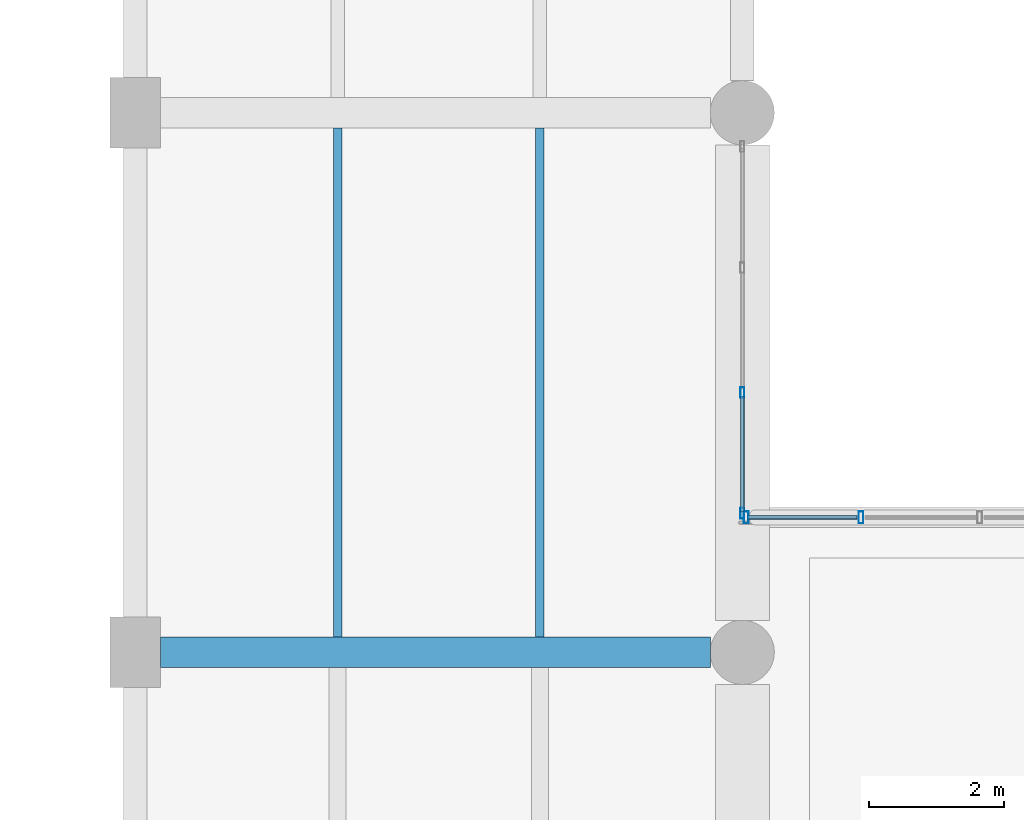
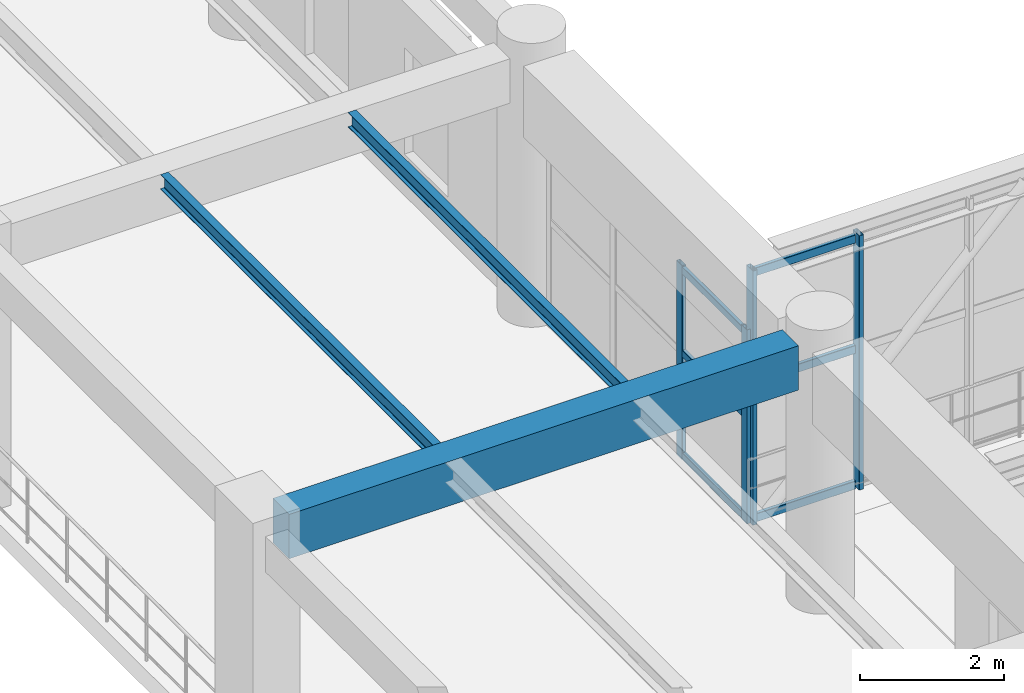
# One storey, part 57 of 178: 10 members, 3 beams, 2 elements without a shape of their own.
"""IFC4 building model written with IfcOpenShell, lengths in metres."""

from ifc_helpers import new_model, si_unit, derived_unit, direction, frame, origin, origin_2d, place, context, subcontext, project, spatial, rectangle, hollow_rectangle, i_section, extrude, material, material_profile, profile_set, type_object, element, aggregate, save


model = new_model("IFC4")

# Units and contexts
model_context = context("Model", 3, precision=1e-05, world=origin(), true_north=direction((0.0, 1.0)))
body_context = subcontext(model_context, "Body", "Model", "MODEL_VIEW")
ifc_project = project(units=[si_unit("LENGTHUNIT", "METRE"), si_unit("AREAUNIT", "SQUARE_METRE"), si_unit("VOLUMEUNIT", "CUBIC_METRE"), si_unit("PLANEANGLEUNIT", "RADIAN"), si_unit("MASSUNIT", "GRAM", prefix="KILO"), derived_unit("THERMALTRANSMITTANCEUNIT", [(si_unit("MASSUNIT", "GRAM", prefix="KILO"), 1), (si_unit("TIMEUNIT", "SECOND"), -3), (si_unit("THERMODYNAMICTEMPERATUREUNIT", "KELVIN"), -1)])], contexts=[model_context])

# Site, building, storey
site_placement = place(None, origin())
site = spatial("IfcSite", under=ifc_project, at=site_placement, CompositionType="ELEMENT")
building_placement = place(site_placement, origin())
building = spatial("IfcBuilding", under=site, at=building_placement, Name="Zhenchuan Archway Interchange", CompositionType="ELEMENT")
storey_placement = place(building_placement, frame((0.0, 0.0, 5.39990234375)))
storey = spatial("IfcBuildingStorey", under=building, at=storey_placement, Name="L01", CompositionType="ELEMENT", Elevation=5.39990234375)

# Beam
ifc_material_1 = material(Name="Concrete C40", Category="concrete")
ifc_material_profile_1 = material_profile(ifc_material_1, rectangle(XDim=0.449951171875, YDim=0.75, at=origin_2d()), Name="RC 450x750")
ifc_profile_set_1 = profile_set([ifc_material_profile_1], Name="Concrete C40")
beam_type_1 = type_object("IfcBeamType", Name="BM_RC_450x750", PredefinedType="BEAM", material=ifc_profile_set_1)
beam_placement = place(storey_placement, frame((63.375, 56.0, 4.135009765625), z_axis=(1.0, 0.0, 0.0), x_axis=(0.0, 1.0, 0.0)))
element("IfcBeam", 1, at=beam_placement, inside=storey, type_object=beam_type_1, Name="Beam H:8-9 (L01)", PredefinedType="BEAM", context=body_context, shape_type="SweptSolid", body=[
    extrude(rectangle(XDim=0.449951171875, YDim=0.75, at=origin_2d()), origin(), (0.0, 0.0, 1.0), 8.14990234375),
])

# Curtain wall, members
ifc_material_2 = material(Name="Anodised Aluminium", Category="aluminium")
curtain_wall_type_1 = type_object("IfcCurtainWallType", Name="CW_UNIT_3", PredefinedType="NOTDEFINED", material=ifc_material_2)
curtain_wall_1_placement = place(storey_placement, origin())
curtain_wall_1 = element("IfcCurtainWall", 2, at=curtain_wall_1_placement, inside=storey, type_object=curtain_wall_type_1, Name="Unitised curtain wall CW:L01:054", PredefinedType="NOTDEFINED")
ifc_material_profile_2 = material_profile(ifc_material_2, hollow_rectangle(XDim=0.06005859375, YDim=0.159912109375, WallThickness=0.00390625, InnerFilletRadius=0.00390625, OuterFilletRadius=0.008056640625, at=origin_2d()), Name="ALU 160x60x4")
ifc_profile_set_2 = profile_set([ifc_material_profile_2], Name="Anodised Aluminium")
member_type_1 = type_object("IfcMemberType", Name="CW_MUL_150", PredefinedType="MULLION", material=ifc_profile_set_2)
member_1_placement = place(storey_placement, frame((72.0, 59.852783203125, 0.0), z_axis=(0.0, 0.0, 1.0), x_axis=(1.0, 0.0, 0.0)))
member_1 = element("IfcMember", 3, at=member_1_placement, type_object=member_type_1, Name="CW:L01:054 mullion 2", PredefinedType="MULLION", context=body_context, shape_type="SweptSolid", body=[
    extrude(hollow_rectangle(XDim=0.06005859375, YDim=0.159912109375, WallThickness=0.00390625, InnerFilletRadius=0.00390625, OuterFilletRadius=0.008056640625, at=origin_2d()), origin(), (0.0, 0.0, 1.0), 3.280029296875),
])
member_2_placement = place(storey_placement, frame((72.0, 58.06005859375, 0.0), z_axis=(0.0, 0.0, 1.0), x_axis=(1.0, 0.0, 0.0)))
member_2 = element("IfcMember", 4, at=member_2_placement, type_object=member_type_1, Name="CW:L01:054 mullion 3", PredefinedType="MULLION", context=body_context, shape_type="SweptSolid", body=[
    extrude(hollow_rectangle(XDim=0.06005859375, YDim=0.159912109375, WallThickness=0.00390625, InnerFilletRadius=0.00390625, OuterFilletRadius=0.008056640625, at=origin_2d()), origin(), (0.0, 0.0, 1.0), 3.280029296875),
])

curtain_wall_type_2 = type_object("IfcCurtainWallType", Name="CW_UNIT_4", PredefinedType="NOTDEFINED", material=ifc_material_2)
curtain_wall_2_placement = place(storey_placement, origin())
curtain_wall_2 = element("IfcCurtainWall", 5, at=curtain_wall_2_placement, inside=storey, type_object=curtain_wall_type_2, Name="Unitised curtain wall CW:L01:055", PredefinedType="NOTDEFINED")
ifc_material_profile_3 = material_profile(ifc_material_2, hollow_rectangle(XDim=0.070068359375, YDim=0.179931640625, WallThickness=0.00390625, InnerFilletRadius=0.00390625, OuterFilletRadius=0.008056640625, at=origin_2d()), Name="ALU 180x70x4")
ifc_profile_set_3 = profile_set([ifc_material_profile_3], Name="Anodised Aluminium")
member_type_2 = type_object("IfcMemberType", Name="CW_MUL_180", PredefinedType="MULLION", material=ifc_profile_set_3)
member_3_placement = place(storey_placement, frame((72.06005859375, 58.0, 0.0), z_axis=(0.0, 0.0, 1.0), x_axis=(1.0, 0.0, 0.0)))
member_3 = element("IfcMember", 6, at=member_3_placement, type_object=member_type_2, Name="CW:L01:055 mullion 0", PredefinedType="MULLION", context=body_context, shape_type="SweptSolid", body=[
    extrude(hollow_rectangle(XDim=0.070068359375, YDim=0.179931640625, WallThickness=0.00390625, InnerFilletRadius=0.00390625, OuterFilletRadius=0.008056640625, at=origin_2d()), origin(), (0.0, 0.0, 1.0), 4.300048828125),
])
member_4_placement = place(storey_placement, frame((73.760986328125, 58.0, 0.0), z_axis=(0.0, 0.0, 1.0), x_axis=(1.0, 0.0, 0.0)))
member_4 = element("IfcMember", 7, at=member_4_placement, type_object=member_type_2, Name="CW:L01:055 mullion 1", PredefinedType="MULLION", context=body_context, shape_type="SweptSolid", body=[
    extrude(hollow_rectangle(XDim=0.070068359375, YDim=0.179931640625, WallThickness=0.00390625, InnerFilletRadius=0.00390625, OuterFilletRadius=0.008056640625, at=origin_2d()), origin(), (0.0, 0.0, 1.0), 4.300048828125),
])

# Member
ifc_material_profile_4 = material_profile(ifc_material_2, hollow_rectangle(XDim=0.06005859375, YDim=0.1201171875, WallThickness=0.00341796875, InnerFilletRadius=0.00341796875, OuterFilletRadius=0.007080078125, at=origin_2d()), Name="ALU 120x60x3.5")
ifc_profile_set_4 = profile_set([ifc_material_profile_4], Name="Anodised Aluminium")
member_type_3 = type_object("IfcMemberType", Name="CW_TRN_120", PredefinedType="USERDEFINED", material=ifc_profile_set_4)
member_5_placement = place(storey_placement, frame((72.0, 59.792724609375, 0.06005859375), z_axis=(0.0, -1.0, 0.0), x_axis=(1.0, 0.0, 0.0)))
member_5 = element("IfcMember", 8, at=member_5_placement, type_object=member_type_3, Name="CW:L01:054 transom 2-1", ObjectType="TRANSOM", PredefinedType="USERDEFINED", context=body_context, shape_type="SweptSolid", body=[
    extrude(hollow_rectangle(XDim=0.06005859375, YDim=0.1201171875, WallThickness=0.00341796875, InnerFilletRadius=0.00341796875, OuterFilletRadius=0.007080078125, at=origin_2d()), origin(), (0.0, 0.0, 1.0), 1.712646484375),
])

member_6_placement = place(storey_placement, frame((72.0, 59.792724609375, 1.793212890625), z_axis=(0.0, -1.0, 0.0), x_axis=(1.0, 0.0, 0.0)))
member_6 = element("IfcMember", 9, at=member_6_placement, type_object=member_type_3, Name="CW:L01:054 transom 2-2", ObjectType="TRANSOM", PredefinedType="USERDEFINED", context=body_context, shape_type="SweptSolid", body=[
    extrude(hollow_rectangle(XDim=0.06005859375, YDim=0.1201171875, WallThickness=0.00341796875, InnerFilletRadius=0.00341796875, OuterFilletRadius=0.007080078125, at=origin_2d()), origin(), (0.0, 0.0, 1.0), 1.712646484375),
])

member_7_placement = place(storey_placement, frame((72.0, 59.792724609375, 3.2001953125), z_axis=(0.0, -1.0, 0.0), x_axis=(1.0, 0.0, 0.0)))
member_7 = element("IfcMember", 10, at=member_7_placement, type_object=member_type_3, Name="CW:L01:054 transom 2-3", ObjectType="TRANSOM", PredefinedType="USERDEFINED", context=body_context, shape_type="SweptSolid", body=[
    extrude(hollow_rectangle(XDim=0.06005859375, YDim=0.1201171875, WallThickness=0.00341796875, InnerFilletRadius=0.00341796875, OuterFilletRadius=0.007080078125, at=origin_2d()), origin(), (0.0, 0.0, 1.0), 1.712646484375),
])

aggregate(curtain_wall_1, [member_1, member_2, member_5, member_6, member_7])

ifc_material_profile_5 = material_profile(ifc_material_2, hollow_rectangle(XDim=0.06005859375, YDim=0.139892578125, WallThickness=0.00341796875, InnerFilletRadius=0.00341796875, OuterFilletRadius=0.007080078125, at=origin_2d()), Name="ALU 140x60x3.5")
ifc_profile_set_5 = profile_set([ifc_material_profile_5], Name="Anodised Aluminium")
member_type_4 = type_object("IfcMemberType", Name="CW_TRN_140", PredefinedType="USERDEFINED", material=ifc_profile_set_5)
member_8_placement = place(storey_placement, frame((72.080078125, 58.0, 0.06005859375), z_axis=(1.0, 0.0, 0.0), x_axis=(0.0, 1.0, 0.0)))
member_8 = element("IfcMember", 11, at=member_8_placement, type_object=member_type_4, Name="CW:L01:055 transom 0-1", ObjectType="TRANSOM", PredefinedType="USERDEFINED", context=body_context, shape_type="SweptSolid", body=[
    extrude(hollow_rectangle(XDim=0.06005859375, YDim=0.139892578125, WallThickness=0.00341796875, InnerFilletRadius=0.00341796875, OuterFilletRadius=0.007080078125, at=origin_2d()), origin(), (0.0, 0.0, 1.0), 1.620849609375),
])

member_9_placement = place(storey_placement, frame((72.080078125, 58.0, 2.35400390625), z_axis=(1.0, 0.0, 0.0), x_axis=(0.0, 1.0, 0.0)))
member_9 = element("IfcMember", 12, at=member_9_placement, type_object=member_type_4, Name="CW:L01:055 transom 0-2", ObjectType="TRANSOM", PredefinedType="USERDEFINED", context=body_context, shape_type="SweptSolid", body=[
    extrude(hollow_rectangle(XDim=0.06005859375, YDim=0.139892578125, WallThickness=0.00341796875, InnerFilletRadius=0.00341796875, OuterFilletRadius=0.007080078125, at=origin_2d()), origin(), (0.0, 0.0, 1.0), 1.620849609375),
])

member_10_placement = place(storey_placement, frame((72.080078125, 58.0, 4.22021484375), z_axis=(1.0, 0.0, 0.0), x_axis=(0.0, 1.0, 0.0)))
member_10 = element("IfcMember", 13, at=member_10_placement, type_object=member_type_4, Name="CW:L01:055 transom 0-3", ObjectType="TRANSOM", PredefinedType="USERDEFINED", context=body_context, shape_type="SweptSolid", body=[
    extrude(hollow_rectangle(XDim=0.06005859375, YDim=0.139892578125, WallThickness=0.00341796875, InnerFilletRadius=0.00341796875, OuterFilletRadius=0.007080078125, at=origin_2d()), origin(), (0.0, 0.0, 1.0), 1.620849609375),
])

aggregate(curtain_wall_2, [member_3, member_4, member_8, member_9, member_10])

# Beams
ifc_material_3 = material(Name="Steel Q355", Category="steel")
ifc_material_profile_6 = material_profile(ifc_material_3, i_section(OverallWidth=0.125, OverallDepth=0.25, WebThickness=0.006103515625, FlangeThickness=0.009033203125, FilletRadius=0.011962890625, at=origin_2d()), Name="HN 250x125")
ifc_profile_set_6 = profile_set([ifc_material_profile_6], Name="Steel Q355")
beam_type_2 = type_object("IfcBeamType", Name="JST_STL_HN250", PredefinedType="JOIST", material=ifc_profile_set_6)
for number, where, z_axis, x_axis, name in (
    (14, (66.0, 56.22509765625, 4.385009765625), (0.0, 1.0, 0.0), (-1.0, 0.0, 0.0), "Secondary joist 8-9/H-J #1 (L01)"),
    (15, (69.0, 56.22509765625, 4.385009765625), (0.0, 1.0, 0.0), (-1.0, 0.0, 0.0), "Secondary joist 8-9/H-J #2 (L01)"),
):
    element("IfcBeam", number, at=place(storey_placement, frame(where, z_axis=z_axis, x_axis=x_axis)), inside=storey, type_object=beam_type_2, Name=name, PredefinedType="JOIST", context=body_context, shape_type="SweptSolid", body=[
        extrude(i_section(OverallWidth=0.125, OverallDepth=0.25, WebThickness=0.006103515625, FlangeThickness=0.009033203125, FilletRadius=0.011962890625, at=origin_2d()), origin(), (0.0, 0.0, 1.0), 7.5498046875),
    ])

save(model, "model.ifc")
